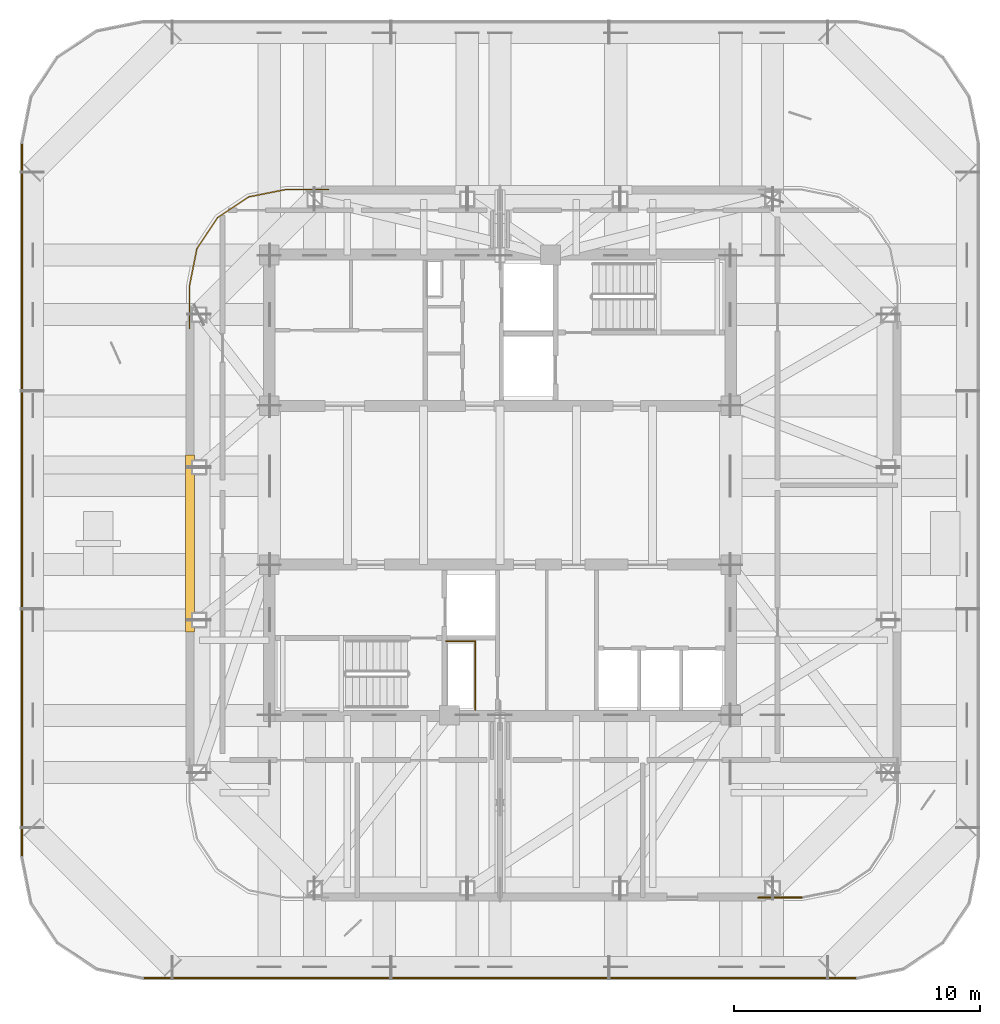
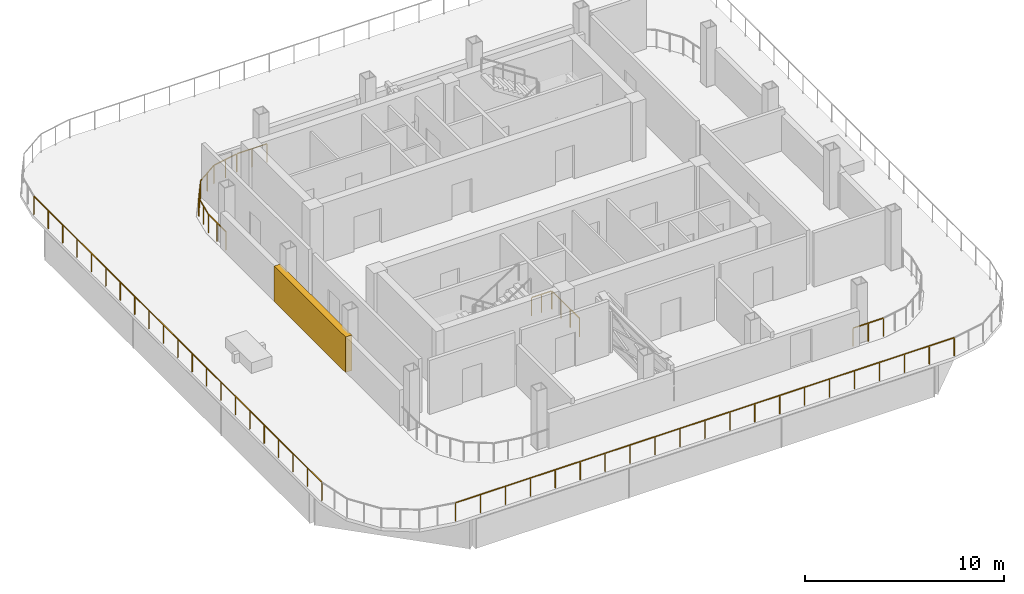
# One storey, part 8 of 10: 5 railings, 1 shading device.
"""IFC4 building model written with IfcOpenShell, lengths in metres."""

from ifc_helpers import new_model, si_unit, direction, frame, origin, origin_2d, place, context, subcontext, project, spatial, rectangle, extrude, material, type_object, element, save


model = new_model("IFC4")

# Units and contexts
model_context = context("Model", 3, precision=1e-05, world=origin(), true_north=direction((0.0, 1.0)))
body_context = subcontext(model_context, "Body", "Model", "MODEL_VIEW")
ifc_project = project(units=[si_unit("LENGTHUNIT", "METRE"), si_unit("AREAUNIT", "SQUARE_METRE"), si_unit("VOLUMEUNIT", "CUBIC_METRE"), si_unit("PLANEANGLEUNIT", "RADIAN"), si_unit("MASSUNIT", "GRAM", prefix="KILO")], contexts=[model_context])

# Site, building, storey
site_placement = place(None, origin())
site = spatial("IfcSite", under=ifc_project, at=site_placement, CompositionType="ELEMENT")
building_placement = place(site_placement, origin())
building = spatial("IfcBuilding", under=site, at=building_placement, Name="Qhalaya Broadcast Tower", CompositionType="ELEMENT")
storey_placement = place(building_placement, frame((0.0, 0.0, 231.300048828125)))
storey = spatial("IfcBuildingStorey", under=building, at=storey_placement, Name="L68", CompositionType="ELEMENT", Elevation=231.300048828125)

# Shading device
ifc_material_1 = material(Name="Fired Architectural Terracotta", Category="masonry")
shading_device_type = type_object("IfcShadingDeviceType", Name="Plant & Turbine-Slot Acoustic Louvre Screen LVS-01", PredefinedType="USERDEFINED", material=ifc_material_1)
shading_device_placement = place(storey_placement, frame((-12.590087890625, -1.77001953125, 0.0), z_axis=(0.0, 0.0, 1.0), x_axis=(0.0, 1.0, 0.0)))
element("IfcShadingDevice", 1, at=shading_device_placement, inside=storey, type_object=shading_device_type, Name="L68 Plant Acoustic Louvre Screen W", ObjectType="LOUVRE", PredefinedType="USERDEFINED", context=body_context, shape_type="SweptSolid", body=[
    extrude(rectangle(XDim=7.199951171875, YDim=0.360107421875, at=origin_2d()), origin(), (0.0, 0.0, 1.0), 2.181884765625),
])

# Railings
ifc_material_2 = material(Name="Powder-Coated Galvanised Steel", Category="steel")
railing_type_1 = type_object("IfcRailingType", Name="Stair Well & Landing Guardrail 1100", PredefinedType="GUARDRAIL", material=ifc_material_2)
railing_1_placement = place(storey_placement, frame((-1.0, -8.52001953125, 0.0)))
element("IfcRailing", 2, at=railing_1_placement, inside=storey, type_object=railing_type_1, Name="L68 Service Riser Opening Safety Guard SRSR", PredefinedType="GUARDRAIL", context=body_context, shape_type="SweptSolid", body=[
    extrude(rectangle(XDim=0.048095703125, YDim=0.048095703125, at=origin_2d()), frame((0.0, 0.0, 1.1259765625), z_axis=(0.0, 1.0, 0.0), x_axis=(-1.0, 0.0, 0.0)), (0.0, 0.0, 1.0), 2.751220703125),
    extrude(rectangle(XDim=0.048095703125, YDim=0.048095703125, at=origin_2d()), frame((-0.02880859375, 2.780029296875, 1.1259765625), z_axis=(-1.0, 0.0, 0.0), x_axis=(0.0, -1.0, 0.0)), (0.0, 0.0, 1.0), 1.151123046875),
    extrude(rectangle(XDim=0.0419921875, YDim=0.0419921875, at=origin_2d()), origin(), (0.0, 0.0, 1.0), 1.099853515625),
    extrude(rectangle(XDim=0.0419921875, YDim=0.0419921875, at=origin_2d()), frame((0.0, 0.9267578125, 0.0)), (0.0, 0.0, 1.0), 1.099853515625),
    extrude(rectangle(XDim=0.0419921875, YDim=0.0419921875, at=origin_2d()), frame((0.0, 1.853271484375, 0.0)), (0.0, 0.0, 1.0), 1.099853515625),
    extrude(rectangle(XDim=0.0419921875, YDim=0.0419921875, at=origin_2d()), frame((0.0, 2.780029296875, 0.0)), (0.0, 0.0, 1.0), 1.099853515625),
    extrude(rectangle(XDim=0.0419921875, YDim=0.0419921875, at=origin_2d()), frame((-0.58984375, 2.780029296875, 0.0)), (0.0, 0.0, 1.0), 1.099853515625),
    extrude(rectangle(XDim=0.0419921875, YDim=0.0419921875, at=origin_2d()), frame((-1.179931640625, 2.780029296875, 0.0)), (0.0, 0.0, 1.0), 1.099853515625),
])
railing_type_2 = type_object("IfcRailingType", Name="Terrace, Sky-Pool & Lookout Glass Balustrade 1150", PredefinedType="BALUSTRADE", material=ifc_material_2)
railing_2_placement = place(storey_placement, frame((14.4921875, -19.419921875, 0.0)))
element("IfcRailing", 3, at=railing_2_placement, inside=storey, type_object=railing_type_2, Name="L68 Perimeter Safety Balustrade BAL-TER1-01", PredefinedType="BALUSTRADE", context=body_context, shape_type="SweptSolid", body=[
    extrude(rectangle(XDim=0.048095703125, YDim=0.048095703125, at=origin_2d()), frame((0.0, 0.0, 1.1259765625), z_axis=(-1.0, 0.0, 0.0), x_axis=(0.0, -1.0, 0.0)), (0.0, 0.0, 1.0), 28.984375),
    extrude(rectangle(XDim=0.0419921875, YDim=0.0419921875, at=origin_2d()), origin(), (0.0, 0.0, 1.0), 1.099853515625),
    extrude(rectangle(XDim=0.0419921875, YDim=0.0419921875, at=origin_2d()), frame((-1.44921875, 0.0, 0.0)), (0.0, 0.0, 1.0), 1.099853515625),
    extrude(rectangle(XDim=0.0419921875, YDim=0.0419921875, at=origin_2d()), frame((-2.8984375, 0.0, 0.0)), (0.0, 0.0, 1.0), 1.099853515625),
    extrude(rectangle(XDim=0.0419921875, YDim=0.0419921875, at=origin_2d()), frame((-4.34765625, 0.0, 0.0)), (0.0, 0.0, 1.0), 1.099853515625),
    extrude(rectangle(XDim=0.0419921875, YDim=0.0419921875, at=origin_2d()), frame((-5.796875, 0.0, 0.0)), (0.0, 0.0, 1.0), 1.099853515625),
    extrude(rectangle(XDim=0.0419921875, YDim=0.0419921875, at=origin_2d()), frame((-7.24609375, 0.0, 0.0)), (0.0, 0.0, 1.0), 1.099853515625),
    extrude(rectangle(XDim=0.0419921875, YDim=0.0419921875, at=origin_2d()), frame((-8.6953125, 0.0, 0.0)), (0.0, 0.0, 1.0), 1.099853515625),
    extrude(rectangle(XDim=0.0419921875, YDim=0.0419921875, at=origin_2d()), frame((-10.14453125, 0.0, 0.0)), (0.0, 0.0, 1.0), 1.099853515625),
    extrude(rectangle(XDim=0.0419921875, YDim=0.0419921875, at=origin_2d()), frame((-11.59375, 0.0, 0.0)), (0.0, 0.0, 1.0), 1.099853515625),
    extrude(rectangle(XDim=0.0419921875, YDim=0.0419921875, at=origin_2d()), frame((-13.04296875, 0.0, 0.0)), (0.0, 0.0, 1.0), 1.099853515625),
    extrude(rectangle(XDim=0.0419921875, YDim=0.0419921875, at=origin_2d()), frame((-14.4921875, 0.0, 0.0)), (0.0, 0.0, 1.0), 1.099853515625),
    extrude(rectangle(XDim=0.0419921875, YDim=0.0419921875, at=origin_2d()), frame((-15.94140625, 0.0, 0.0)), (0.0, 0.0, 1.0), 1.099853515625),
    extrude(rectangle(XDim=0.0419921875, YDim=0.0419921875, at=origin_2d()), frame((-17.390625, 0.0, 0.0)), (0.0, 0.0, 1.0), 1.099853515625),
    extrude(rectangle(XDim=0.0419921875, YDim=0.0419921875, at=origin_2d()), frame((-18.83984375, 0.0, 0.0)), (0.0, 0.0, 1.0), 1.099853515625),
    extrude(rectangle(XDim=0.0419921875, YDim=0.0419921875, at=origin_2d()), frame((-20.2890625, 0.0, 0.0)), (0.0, 0.0, 1.0), 1.099853515625),
    extrude(rectangle(XDim=0.0419921875, YDim=0.0419921875, at=origin_2d()), frame((-21.73828125, 0.0, 0.0)), (0.0, 0.0, 1.0), 1.099853515625),
    extrude(rectangle(XDim=0.0419921875, YDim=0.0419921875, at=origin_2d()), frame((-23.1875, 0.0, 0.0)), (0.0, 0.0, 1.0), 1.099853515625),
    extrude(rectangle(XDim=0.0419921875, YDim=0.0419921875, at=origin_2d()), frame((-24.63671875, 0.0, 0.0)), (0.0, 0.0, 1.0), 1.099853515625),
    extrude(rectangle(XDim=0.0419921875, YDim=0.0419921875, at=origin_2d()), frame((-26.0859375, 0.0, 0.0)), (0.0, 0.0, 1.0), 1.099853515625),
    extrude(rectangle(XDim=0.0419921875, YDim=0.0419921875, at=origin_2d()), frame((-27.53515625, 0.0, 0.0)), (0.0, 0.0, 1.0), 1.099853515625),
    extrude(rectangle(XDim=0.0419921875, YDim=0.0419921875, at=origin_2d()), frame((-28.984375, 0.0, 0.0)), (0.0, 0.0, 1.0), 1.099853515625),
])
railing_3_placement = place(storey_placement, frame((-19.419921875, -14.4921875, 0.0)))
element("IfcRailing", 4, at=railing_3_placement, inside=storey, type_object=railing_type_2, Name="L68 Perimeter Safety Balustrade BAL-TER1-06", PredefinedType="BALUSTRADE", context=body_context, shape_type="SweptSolid", body=[
    extrude(rectangle(XDim=0.048095703125, YDim=0.048095703125, at=origin_2d()), frame((0.0, 0.0, 1.1259765625), z_axis=(0.0, 1.0, 0.0), x_axis=(-1.0, 0.0, 0.0)), (0.0, 0.0, 1.0), 28.984375),
    extrude(rectangle(XDim=0.0419921875, YDim=0.0419921875, at=origin_2d()), origin(), (0.0, 0.0, 1.0), 1.099853515625),
    extrude(rectangle(XDim=0.0419921875, YDim=0.0419921875, at=origin_2d()), frame((0.0, 1.44921875, 0.0)), (0.0, 0.0, 1.0), 1.099853515625),
    extrude(rectangle(XDim=0.0419921875, YDim=0.0419921875, at=origin_2d()), frame((0.0, 2.8984375, 0.0)), (0.0, 0.0, 1.0), 1.099853515625),
    extrude(rectangle(XDim=0.0419921875, YDim=0.0419921875, at=origin_2d()), frame((0.0, 4.34765625, 0.0)), (0.0, 0.0, 1.0), 1.099853515625),
    extrude(rectangle(XDim=0.0419921875, YDim=0.0419921875, at=origin_2d()), frame((0.0, 5.796875, 0.0)), (0.0, 0.0, 1.0), 1.099853515625),
    extrude(rectangle(XDim=0.0419921875, YDim=0.0419921875, at=origin_2d()), frame((0.0, 7.24609375, 0.0)), (0.0, 0.0, 1.0), 1.099853515625),
    extrude(rectangle(XDim=0.0419921875, YDim=0.0419921875, at=origin_2d()), frame((0.0, 8.6953125, 0.0)), (0.0, 0.0, 1.0), 1.099853515625),
    extrude(rectangle(XDim=0.0419921875, YDim=0.0419921875, at=origin_2d()), frame((0.0, 10.14453125, 0.0)), (0.0, 0.0, 1.0), 1.099853515625),
    extrude(rectangle(XDim=0.0419921875, YDim=0.0419921875, at=origin_2d()), frame((0.0, 11.59375, 0.0)), (0.0, 0.0, 1.0), 1.099853515625),
    extrude(rectangle(XDim=0.0419921875, YDim=0.0419921875, at=origin_2d()), frame((0.0, 13.04296875, 0.0)), (0.0, 0.0, 1.0), 1.099853515625),
    extrude(rectangle(XDim=0.0419921875, YDim=0.0419921875, at=origin_2d()), frame((0.0, 14.4921875, 0.0)), (0.0, 0.0, 1.0), 1.099853515625),
    extrude(rectangle(XDim=0.0419921875, YDim=0.0419921875, at=origin_2d()), frame((0.0, 15.94140625, 0.0)), (0.0, 0.0, 1.0), 1.099853515625),
    extrude(rectangle(XDim=0.0419921875, YDim=0.0419921875, at=origin_2d()), frame((0.0, 17.390625, 0.0)), (0.0, 0.0, 1.0), 1.099853515625),
    extrude(rectangle(XDim=0.0419921875, YDim=0.0419921875, at=origin_2d()), frame((0.0, 18.83984375, 0.0)), (0.0, 0.0, 1.0), 1.099853515625),
    extrude(rectangle(XDim=0.0419921875, YDim=0.0419921875, at=origin_2d()), frame((0.0, 20.2890625, 0.0)), (0.0, 0.0, 1.0), 1.099853515625),
    extrude(rectangle(XDim=0.0419921875, YDim=0.0419921875, at=origin_2d()), frame((0.0, 21.73828125, 0.0)), (0.0, 0.0, 1.0), 1.099853515625),
    extrude(rectangle(XDim=0.0419921875, YDim=0.0419921875, at=origin_2d()), frame((0.0, 23.1875, 0.0)), (0.0, 0.0, 1.0), 1.099853515625),
    extrude(rectangle(XDim=0.0419921875, YDim=0.0419921875, at=origin_2d()), frame((0.0, 24.63671875, 0.0)), (0.0, 0.0, 1.0), 1.099853515625),
    extrude(rectangle(XDim=0.0419921875, YDim=0.0419921875, at=origin_2d()), frame((0.0, 26.0859375, 0.0)), (0.0, 0.0, 1.0), 1.099853515625),
    extrude(rectangle(XDim=0.0419921875, YDim=0.0419921875, at=origin_2d()), frame((0.0, 27.53515625, 0.0)), (0.0, 0.0, 1.0), 1.099853515625),
    extrude(rectangle(XDim=0.0419921875, YDim=0.0419921875, at=origin_2d()), frame((0.0, 28.984375, 0.0)), (0.0, 0.0, 1.0), 1.099853515625),
])
railing_4_placement = place(storey_placement, frame((12.25830078125, -16.14990234375, 0.0)))
element("IfcRailing", 5, at=railing_4_placement, inside=storey, type_object=railing_type_2, Name="L68 Rounded Corner Perimeter Guard 01", PredefinedType="BALUSTRADE", context=body_context, shape_type="SweptSolid", body=[
    extrude(rectangle(XDim=0.048095703125, YDim=0.048095703125, at=origin_2d()), frame((0.0, 0.0, 1.1259765625), z_axis=(-1.0, 0.0, 0.0), x_axis=(0.0, -1.0, 0.0)), (0.0, 0.0, 1.0), 1.75634765625),
    extrude(rectangle(XDim=0.0419921875, YDim=0.0419921875, at=origin_2d()), origin(), (0.0, 0.0, 1.0), 1.099853515625),
    extrude(rectangle(XDim=0.0419921875, YDim=0.0419921875, at=origin_2d()), frame((-0.878173828125, 0.0, 0.0)), (0.0, 0.0, 1.0), 1.099853515625),
    extrude(rectangle(XDim=0.0419921875, YDim=0.0419921875, at=origin_2d()), frame((-1.75634765625, 0.0, 0.0)), (0.0, 0.0, 1.0), 1.099853515625),
])
railing_5_placement = place(storey_placement, frame((-12.610107421875, 6.9619140625, 0.0)))
element("IfcRailing", 6, at=railing_5_placement, inside=storey, type_object=railing_type_2, Name="L68 Rounded Corner Perimeter Guard 03", PredefinedType="BALUSTRADE", context=body_context, shape_type="SweptSolid", body=[
    extrude(rectangle(XDim=0.048095703125, YDim=0.048095703125, at=origin_2d()), frame((0.0, 0.0, 1.1259765625), z_axis=(0.0, 1.0, 0.0), x_axis=(-1.0, 0.0, 0.0)), (0.0, 0.0, 1.0), 1.7275390625),
    extrude(rectangle(XDim=0.048095703125, YDim=0.048095703125, at=origin_2d()), frame((0.005615234375, 1.78466796875, 1.1259765625), z_axis=(0.195161601391, 0.980771099361, 0.0), x_axis=(-0.980771099361, 0.195161601391, 0.0)), (0.0, 0.0, 1.0), 1.46728515625),
    extrude(rectangle(XDim=0.048095703125, YDim=0.048095703125, at=origin_2d()), frame((0.313720703125, 3.27587890625, 1.1259765625), z_axis=(0.555556342146, 0.83147889372, 0.0), x_axis=(-0.83147889372, 0.555556342146, 0.0)), (0.0, 0.0, 1.0), 1.455322265625),
    extrude(rectangle(XDim=0.048095703125, YDim=0.048095703125, at=origin_2d()), frame((1.162109375, 4.526123046875, 1.1259765625), z_axis=(0.83147889372, 0.555556342146, 0.0), x_axis=(-0.555556342146, 0.83147889372, 0.0)), (0.0, 0.0, 1.0), 1.455322265625),
    extrude(rectangle(XDim=0.048095703125, YDim=0.048095703125, at=origin_2d()), frame((2.424560546875, 5.356201171875, 1.1259765625), z_axis=(0.980771099361, 0.195161601391, 0.0), x_axis=(-0.195161601391, 0.980771099361, 0.0)), (0.0, 0.0, 1.0), 1.46728515625),
    extrude(rectangle(XDim=0.048095703125, YDim=0.048095703125, at=origin_2d()), frame((3.920654296875, 5.648193359375, 1.1259765625), z_axis=(1.0, 0.0, 0.0), x_axis=(0.0, 1.0, 0.0)), (0.0, 0.0, 1.0), 1.7275390625),
    extrude(rectangle(XDim=0.0419921875, YDim=0.0419921875, at=origin_2d()), origin(), (0.0, 0.0, 1.0), 1.099853515625),
    extrude(rectangle(XDim=0.0419921875, YDim=0.0419921875, at=origin_2d()), frame((0.0, 0.878173828125, 0.0)), (0.0, 0.0, 1.0), 1.099853515625),
    extrude(rectangle(XDim=0.0419921875, YDim=0.0419921875, at=origin_2d()), frame((0.0, 1.75634765625, 0.0)), (0.0, 0.0, 1.0), 1.099853515625),
    extrude(rectangle(XDim=0.0419921875, YDim=0.0419921875, at=origin_2d()), frame((0.14892578125, 2.504150390625, 0.0)), (0.0, 0.0, 1.0), 1.099853515625),
    extrude(rectangle(XDim=0.0419921875, YDim=0.0419921875, at=origin_2d()), frame((0.297607421875, 3.251953125, 0.0)), (0.0, 0.0, 1.0), 1.099853515625),
    extrude(rectangle(XDim=0.0419921875, YDim=0.0419921875, at=origin_2d()), frame((0.7177734375, 3.880859375, 0.0)), (0.0, 0.0, 1.0), 1.099853515625),
    extrude(rectangle(XDim=0.0419921875, YDim=0.0419921875, at=origin_2d()), frame((1.13818359375, 4.510009765625, 0.0)), (0.0, 0.0, 1.0), 1.099853515625),
    extrude(rectangle(XDim=0.0419921875, YDim=0.0419921875, at=origin_2d()), frame((1.76708984375, 4.93017578125, 0.0)), (0.0, 0.0, 1.0), 1.099853515625),
    extrude(rectangle(XDim=0.0419921875, YDim=0.0419921875, at=origin_2d()), frame((2.396240234375, 5.3505859375, 0.0)), (0.0, 0.0, 1.0), 1.099853515625),
    extrude(rectangle(XDim=0.0419921875, YDim=0.0419921875, at=origin_2d()), frame((3.14404296875, 5.49951171875, 0.0)), (0.0, 0.0, 1.0), 1.099853515625),
    extrude(rectangle(XDim=0.0419921875, YDim=0.0419921875, at=origin_2d()), frame((3.891845703125, 5.648193359375, 0.0)), (0.0, 0.0, 1.0), 1.099853515625),
    extrude(rectangle(XDim=0.0419921875, YDim=0.0419921875, at=origin_2d()), frame((4.77001953125, 5.648193359375, 0.0)), (0.0, 0.0, 1.0), 1.099853515625),
    extrude(rectangle(XDim=0.0419921875, YDim=0.0419921875, at=origin_2d()), frame((5.648193359375, 5.648193359375, 0.0)), (0.0, 0.0, 1.0), 1.099853515625),
])

save(model, "model.ifc")
